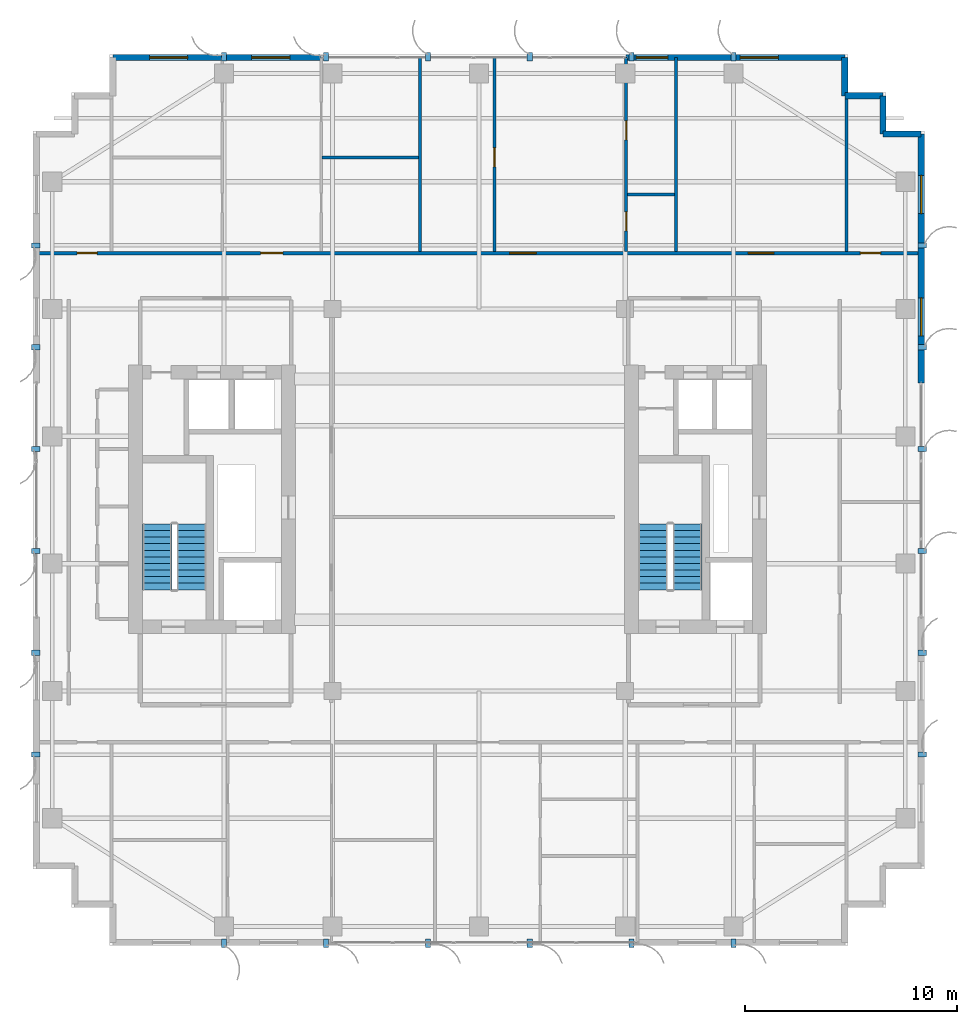
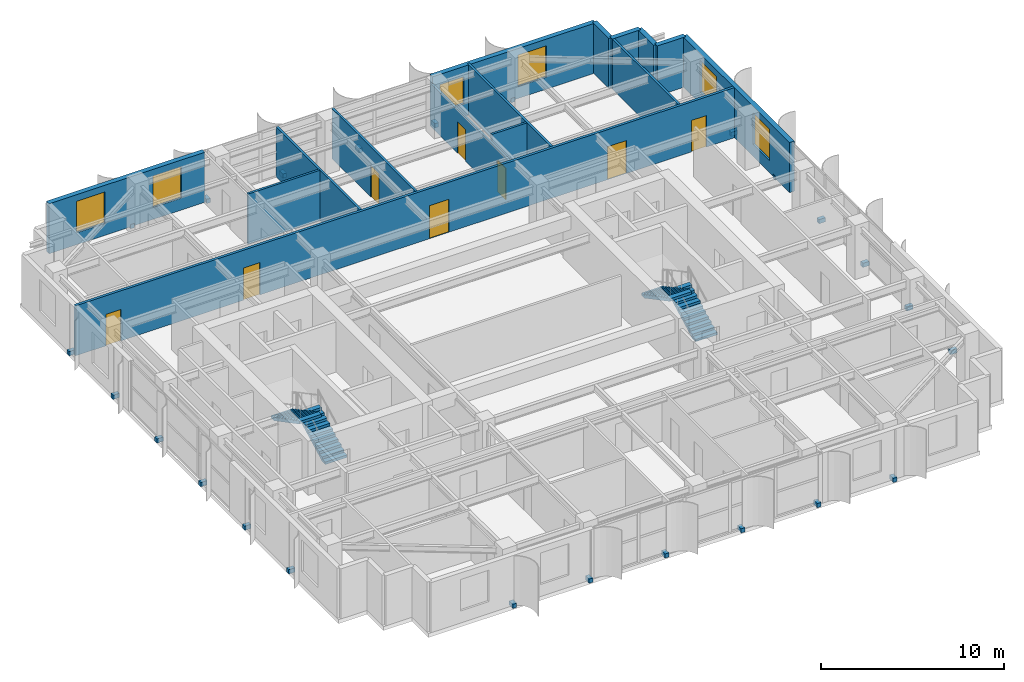
# One storey, part 22 of 25: 24 discrete accessories, 15 walls, 8 doors, 6 windows, 4 stair flights, 14 openings, 2 elements without a shape of their own.
"""IFC4 building model written with IfcOpenShell, lengths in metres."""

from ifc_helpers import new_model, si_unit, direction, frame, frame_2d, origin, origin_2d, place, context, subcontext, project, spatial, polyline, rectangle, outline, extrude, source, transform, mapped, material, layer, layer_set, type_object, element, fill, aggregate, save


model = new_model("IFC4")

# Units and contexts
model_context = context("Model", 3, precision=1e-05, world=origin(), true_north=direction((0.0, 1.0)))
body_context = subcontext(model_context, "Body", "Model", "MODEL_VIEW")
ifc_project = project(units=[si_unit("LENGTHUNIT", "METRE"), si_unit("AREAUNIT", "SQUARE_METRE"), si_unit("VOLUMEUNIT", "CUBIC_METRE"), si_unit("PLANEANGLEUNIT", "RADIAN"), si_unit("MASSUNIT", "GRAM", prefix="KILO")], contexts=[model_context])

# Site, building, storey
site_placement = place(None, origin())
site = spatial("IfcSite", under=ifc_project, at=site_placement, CompositionType="ELEMENT")
building_placement = place(site_placement, origin())
building = spatial("IfcBuilding", under=site, at=building_placement, Name="Khoralis Quay Care Tower", CompositionType="ELEMENT")
storey_placement = place(building_placement, frame((0.0, 0.0, 166.5)))
storey = spatial("IfcBuildingStorey", under=building, at=storey_placement, Name="L43", CompositionType="ELEMENT", Elevation=166.5)

# Wall, openings, doors
ifc_material_1 = material(Name="Gypsum plasterboard on acoustic metal stud")
ifc_layer_1 = layer(ifc_material_1, 0.1650390625)
ifc_layer_set_1 = layer_set([ifc_layer_1], Name="Gypsum plasterboard on acoustic metal stud")
wall_type_1 = type_object("IfcWallType", Name="WL-CORR-165", PredefinedType="PARTITIONING", material=ifc_layer_set_1)
wall_1_placement = place(storey_placement, frame((3.14501953125, 32.639892578125, 0.0), z_axis=(0.0, 0.0, 1.0), x_axis=(1.0, 0.0, 0.0)))
wall_1 = element("IfcWall", 1, at=wall_1_placement, inside=storey, type_object=wall_type_1, Name="L43 North Main Corridor Wall", PredefinedType="PARTITIONING", context=body_context, shape_type="SweptSolid", body=[
    extrude(rectangle(XDim=41.7099609375, YDim=0.1650390625, at=frame_2d((20.85498046875, 0.0))), origin(), (0.0, 0.0, 1.0), 3.340087890625),
])
opening_1_placement = place(wall_1_placement, frame((10.570556640625, 0.0, 0.0)))
opening_1 = element("IfcOpeningElement", 2, at=opening_1_placement, cuts=wall_1, Name="Opening UD1", PredefinedType="OPENING", context=body_context, shape_type="SweptSolid", body=[
    extrude(rectangle(XDim=1.050048828125, YDim=2.14990234375, at=frame_2d((0.52490234375, 1.074951171875))), frame((0.0, 0.092529296875, 0.0), z_axis=(0.0, -1.0, 0.0), x_axis=(1.0, 0.0, 0.0)), (0.0, 0.0, 1.0), 0.18505859375),
])
opening_2_placement = place(wall_1_placement, frame((22.31005859375, 0.0, 0.0)))
opening_2 = element("IfcOpeningElement", 3, at=opening_2_placement, cuts=wall_1, Name="Opening CD1", PredefinedType="OPENING", context=body_context, shape_type="SweptSolid", body=[
    extrude(rectangle(XDim=1.25, YDim=2.199951171875, at=frame_2d((0.625, 1.10009765625))), frame((0.0, 0.092529296875, 0.0), z_axis=(0.0, -1.0, 0.0), x_axis=(1.0, 0.0, 0.0)), (0.0, 0.0, 1.0), 0.18505859375),
])
opening_3_placement = place(wall_1_placement, frame((33.56005859375, 0.0, 0.0)))
opening_3 = element("IfcOpeningElement", 4, at=opening_3_placement, cuts=wall_1, Name="Opening FD1", PredefinedType="OPENING", context=body_context, shape_type="SweptSolid", body=[
    extrude(rectangle(XDim=1.199951171875, YDim=2.199951171875, at=frame_2d((0.60009765625, 1.10009765625))), frame((0.0, 0.092529296875, 0.0), z_axis=(0.0, -1.0, 0.0), x_axis=(1.0, 0.0, 0.0)), (0.0, 0.0, 1.0), 0.18505859375),
])
opening_4_placement = place(wall_1_placement, frame((1.919921875, 0.0, 0.0)))
opening_4 = element("IfcOpeningElement", 5, at=opening_4_placement, cuts=wall_1, Name="Opening ID1", PredefinedType="OPENING", context=body_context, shape_type="SweptSolid", body=[
    extrude(rectangle(XDim=0.949951171875, YDim=2.10009765625, at=frame_2d((0.47509765625, 1.050048828125))), frame((0.0, 0.092529296875, 0.0), z_axis=(0.0, -1.0, 0.0), x_axis=(1.0, 0.0, 0.0)), (0.0, 0.0, 1.0), 0.18505859375),
])
opening_5_placement = place(wall_1_placement, frame((38.840087890625, 0.0, 0.0)))
opening_5 = element("IfcOpeningElement", 6, at=opening_5_placement, cuts=wall_1, Name="Opening ID1", PredefinedType="OPENING", context=body_context, shape_type="SweptSolid", body=[
    extrude(rectangle(XDim=0.949951171875, YDim=2.10009765625, at=frame_2d((0.47509765625, 1.050048828125))), frame((0.0, 0.092529296875, 0.0), z_axis=(0.0, -1.0, 0.0), x_axis=(1.0, 0.0, 0.0)), (0.0, 0.0, 1.0), 0.18505859375),
])
ifc_material_2 = material(Name="Fire-rated painted steel", Category="steel")
door_type_1 = type_object("IfcDoorType", Name="DR-FFL-1200X2200", OperationType="NOTDEFINED", PredefinedType="DOOR", material=ifc_material_2)
shared_shape_1 = source(origin(), body_context, "Body", "SweptSolid", [
    extrude(rectangle(XDim=1.199951171875, YDim=2.199951171875, at=frame_2d((0.60009765625, 1.10009765625))), frame((0.0, 0.02490234375, 0.0), z_axis=(0.0, -1.0, 0.0), x_axis=(1.0, 0.0, 0.0)), (0.0, 0.0, 1.0), 0.050048828125),
])
door_1_placement = place(opening_3_placement, origin())
door_1 = element("IfcDoor", 7, at=door_1_placement, inside=storey, type_object=door_type_1, Name="L43 Resident Communal Day Lounge Door", OperationType="DOUBLE_DOOR_SINGLE_SWING", OverallHeight=2.199951171875, OverallWidth=1.199951171875, PredefinedType="DOOR", context=body_context, shape_type="MappedRepresentation", body=[
    mapped(shared_shape_1, transform((0.0, 0.0, 0.0), scale=1.0)),
])
fill(opening_3, door_1)
ifc_material_3 = material(Name="Acoustic hardwood timber", Category="wood")
door_type_2 = type_object("IfcDoorType", Name="DR-CARE-1250X2200", OperationType="NOTDEFINED", PredefinedType="DOOR", material=ifc_material_3)
shared_shape_2 = source(origin(), body_context, "Body", "SweptSolid", [
    extrude(rectangle(XDim=1.25, YDim=2.199951171875, at=frame_2d((0.625, 1.10009765625))), frame((0.0, 0.02490234375, 0.0), z_axis=(0.0, -1.0, 0.0), x_axis=(1.0, 0.0, 0.0)), (0.0, 0.0, 1.0), 0.050048828125),
])
door_2_placement = place(opening_2_placement, origin())
door_2 = element("IfcDoor", 8, at=door_2_placement, inside=storey, type_object=door_type_2, Name="L43 Care Suite NB1 Clinical Door", OperationType="SINGLE_SWING_RIGHT", OverallHeight=2.199951171875, OverallWidth=1.25, PredefinedType="DOOR", context=body_context, shape_type="MappedRepresentation", body=[
    mapped(shared_shape_2, transform((0.0, 0.0, 0.0), scale=1.0)),
])
fill(opening_2, door_2)
door_type_3 = type_object("IfcDoorType", Name="DR-ROOM-950X2100", OperationType="NOTDEFINED", PredefinedType="DOOR", material=ifc_material_3)
shared_shape_3 = source(origin(), body_context, "Body", "SweptSolid", [
    extrude(rectangle(XDim=0.949951171875, YDim=2.10009765625, at=frame_2d((0.47509765625, 1.050048828125))), frame((0.0, 0.02490234375, 0.0), z_axis=(0.0, -1.0, 0.0), x_axis=(1.0, 0.0, 0.0)), (0.0, 0.0, 1.0), 0.050048828125),
])
door_3_placement = place(opening_4_placement, origin())
door_3 = element("IfcDoor", 9, at=door_3_placement, inside=storey, type_object=door_type_3, Name="L43 NW Corner Door", OperationType="SINGLE_SWING_RIGHT", OverallHeight=2.10009765625, OverallWidth=0.949951171875, PredefinedType="DOOR", context=body_context, shape_type="MappedRepresentation", body=[
    mapped(shared_shape_3, transform((0.0, 0.0, 0.0), scale=1.0)),
])
fill(opening_4, door_3)
door_4_placement = place(opening_5_placement, origin())
door_4 = element("IfcDoor", 10, at=door_4_placement, inside=storey, type_object=door_type_3, Name="L43 NE Corner Door", OperationType="SINGLE_SWING_LEFT", OverallHeight=2.10009765625, OverallWidth=0.949951171875, PredefinedType="DOOR", context=body_context, shape_type="MappedRepresentation", body=[
    mapped(shared_shape_3, transform((0.0, 0.0, 0.0), scale=1.0)),
])
fill(opening_5, door_4)
door_type_4 = type_object("IfcDoorType", Name="DR-SUITE-1050X2150", OperationType="NOTDEFINED", PredefinedType="DOOR", material=ifc_material_3)
shared_shape_4 = source(origin(), body_context, "Body", "SweptSolid", [
    extrude(rectangle(XDim=1.050048828125, YDim=2.14990234375, at=frame_2d((0.52490234375, 1.074951171875))), frame((0.0, 0.02490234375, 0.0), z_axis=(0.0, -1.0, 0.0), x_axis=(1.0, 0.0, 0.0)), (0.0, 0.0, 1.0), 0.050048828125),
])
door_5_placement = place(opening_1_placement, origin())
door_5 = element("IfcDoor", 11, at=door_5_placement, inside=storey, type_object=door_type_4, Name="L43 2BR NB0 Entrance", OperationType="SINGLE_SWING_LEFT", OverallHeight=2.14990234375, OverallWidth=1.050048828125, PredefinedType="DOOR", context=body_context, shape_type="MappedRepresentation", body=[
    mapped(shared_shape_4, transform((0.0, 0.0, 0.0), scale=1.0)),
])
fill(opening_1, door_5)

# Wall, openings, windows
ifc_material_4 = material(Name="Precast concrete C45/55", Category="concrete")
ifc_layer_2 = layer(ifc_material_4, 0.300048828125)
ifc_layer_set_2 = layer_set([ifc_layer_2], Name="Precast concrete C45/55")
wall_type_2 = type_object("IfcWallType", Name="WL-EXT-REF-300", PredefinedType="SOLIDWALL", material=ifc_layer_set_2)
wall_2_placement = place(storey_placement, frame((44.85009765625, 26.52001953125, 0.0), z_axis=(0.0, 0.0, 1.0), x_axis=(0.0, 1.0, 0.0)))
wall_2 = element("IfcWall", 12, at=wall_2_placement, inside=storey, type_object=wall_type_2, Name="L43 External Facade Wall WL-EXT-L43-P1-E5B", PredefinedType="SOLIDWALL", context=body_context, shape_type="SweptSolid", body=[
    extrude(rectangle(XDim=11.72998046875, YDim=0.300048828125, at=frame_2d((5.864990234375, 0.0))), origin(), (0.0, 0.0, 1.0), 3.340087890625),
])
opening_6_placement = place(wall_2_placement, frame((2.2099609375, 0.0, 0.800048828125)))
opening_6 = element("IfcOpeningElement", 13, at=opening_6_placement, cuts=wall_2, Name="Opening W2", PredefinedType="OPENING", context=body_context, shape_type="SweptSolid", body=[
    extrude(rectangle(XDim=1.800048828125, YDim=2.10009765625, at=frame_2d((0.89990234375, 1.050048828125))), frame((0.0, 0.16015625, 0.0), z_axis=(0.0, -1.0, 0.0), x_axis=(1.0, 0.0, 0.0)), (0.0, 0.0, 1.0), 0.320068359375),
])
opening_7_placement = place(wall_2_placement, frame((7.97509765625, 0.0, 0.800048828125)))
opening_7 = element("IfcOpeningElement", 14, at=opening_7_placement, cuts=wall_2, Name="Opening W2", PredefinedType="OPENING", context=body_context, shape_type="SweptSolid", body=[
    extrude(rectangle(XDim=1.800048828125, YDim=2.10009765625, at=frame_2d((0.89990234375, 1.050048828125))), frame((0.0, 0.16015625, 0.0), z_axis=(0.0, -1.0, 0.0), x_axis=(1.0, 0.0, 0.0)), (0.0, 0.0, 1.0), 0.320068359375),
])
ifc_material_5 = material(Name="Low-E solar-control double glazing", Category="glass")
window_type_1 = type_object("IfcWindowType", Name="WN-POD-1800X2100", PartitioningType="SINGLE_PANEL", PredefinedType="WINDOW", material=ifc_material_5)
shared_shape_5 = source(origin(), body_context, "Body", "SweptSolid", [
    extrude(rectangle(XDim=1.800048828125, YDim=2.10009765625, at=frame_2d((0.89990234375, 1.050048828125))), frame((0.0, 0.030029296875, 0.0), z_axis=(0.0, -1.0, 0.0), x_axis=(1.0, 0.0, 0.0)), (0.0, 0.0, 1.0), 0.06005859375),
])
window_1_placement = place(opening_6_placement, origin())
window_1 = element("IfcWindow", 15, at=window_1_placement, inside=storey, type_object=window_type_1, Name="WN-L43-P1-E5B Facade Window 01", OverallHeight=2.10009765625, OverallWidth=1.800048828125, PartitioningType="SINGLE_PANEL", PredefinedType="WINDOW", context=body_context, shape_type="MappedRepresentation", body=[
    mapped(shared_shape_5, transform((0.0, 0.0, 0.0), scale=1.0)),
])
fill(opening_6, window_1)
window_2_placement = place(opening_7_placement, origin())
window_2 = element("IfcWindow", 16, at=window_2_placement, inside=storey, type_object=window_type_1, Name="WN-L43-P1-E5B Facade Window 02", OverallHeight=2.10009765625, OverallWidth=1.800048828125, PartitioningType="SINGLE_PANEL", PredefinedType="WINDOW", context=body_context, shape_type="MappedRepresentation", body=[
    mapped(shared_shape_5, transform((0.0, 0.0, 0.0), scale=1.0)),
])
fill(opening_7, window_2)

# Walls
for number, where, z_axis, x_axis, name in (
    (17, (44.85009765625, 38.25, 0.0), (0.0, 0.0, 1.0), (-1.0, 0.0, 0.0), "L43 External Facade Wall WL-EXT-L43-P1-C6"),
    (18, (43.050048828125, 38.25, 0.0), (0.0, 0.0, 1.0), (0.0, 1.0, 0.0), "L43 External Facade Wall WL-EXT-L43-P1-C7"),
    (19, (43.050048828125, 40.050048828125, 0.0), (0.0, 0.0, 1.0), (-1.0, 0.0, 0.0), "L43 External Facade Wall WL-EXT-L43-P1-C8"),
    (20, (41.25, 40.050048828125, 0.0), (0.0, 0.0, 1.0), (0.0, 1.0, 0.0), "L43 External Facade Wall WL-EXT-L43-P1-C9"),
):
    element("IfcWall", number, at=place(storey_placement, frame(where, z_axis=z_axis, x_axis=x_axis)), inside=storey, type_object=wall_type_2, Name=name, PredefinedType="SOLIDWALL", context=body_context, shape_type="SweptSolid", body=[
        extrude(rectangle(XDim=1.800048828125, YDim=0.300048828125, at=frame_2d((0.89990234375, 0.0))), origin(), (0.0, 0.0, 1.0), 3.340087890625),
    ])

# Wall, openings, windows
wall_3_placement = place(storey_placement, frame((41.25, 41.85009765625, 0.0), z_axis=(0.0, 0.0, 1.0), x_axis=(-1.0, 0.0, 0.0)))
wall_3 = element("IfcWall", 21, at=wall_3_placement, inside=storey, type_object=wall_type_2, Name="L43 External Facade Wall WL-EXT-L43-P1-E10A", PredefinedType="SOLIDWALL", context=body_context, shape_type="SweptSolid", body=[
    extrude(rectangle(XDim=10.31005859375, YDim=0.300048828125, at=frame_2d((5.155029296875, 0.0))), origin(), (0.0, 0.0, 1.0), 3.340087890625),
])
opening_8_placement = place(wall_3_placement, frame((3.1298828125, 0.0, 0.800048828125)))
opening_8 = element("IfcOpeningElement", 22, at=opening_8_placement, cuts=wall_3, Name="Opening W2", PredefinedType="OPENING", context=body_context, shape_type="SweptSolid", body=[
    extrude(rectangle(XDim=1.800048828125, YDim=2.10009765625, at=frame_2d((0.89990234375, 1.050048828125))), frame((0.0, 0.16015625, 0.0), z_axis=(0.0, -1.0, 0.0), x_axis=(1.0, 0.0, 0.0)), (0.0, 0.0, 1.0), 0.320068359375),
])
opening_9_placement = place(wall_3_placement, frame((8.3349609375, 0.0, 0.85009765625)))
opening_9 = element("IfcOpeningElement", 23, at=opening_9_placement, cuts=wall_3, Name="Opening W3", PredefinedType="OPENING", context=body_context, shape_type="SweptSolid", body=[
    extrude(rectangle(XDim=1.5, YDim=1.800048828125, at=frame_2d((0.75, 0.89990234375))), frame((0.0, 0.16015625, 0.0), z_axis=(0.0, -1.0, 0.0), x_axis=(1.0, 0.0, 0.0)), (0.0, 0.0, 1.0), 0.320068359375),
])
window_type_2 = type_object("IfcWindowType", Name="WN-CLIN-1500X1800", PartitioningType="SINGLE_PANEL", PredefinedType="WINDOW", material=ifc_material_5)
shared_shape_6 = source(origin(), body_context, "Body", "SweptSolid", [
    extrude(rectangle(XDim=1.5, YDim=1.800048828125, at=frame_2d((0.75, 0.89990234375))), frame((0.0, 0.030029296875, 0.0), z_axis=(0.0, -1.0, 0.0), x_axis=(1.0, 0.0, 0.0)), (0.0, 0.0, 1.0), 0.06005859375),
])
window_3_placement = place(opening_9_placement, origin())
window_3 = element("IfcWindow", 24, at=window_3_placement, inside=storey, type_object=window_type_2, Name="WN-L43-P1-E10A Facade Window 02", OverallHeight=1.800048828125, OverallWidth=1.5, PartitioningType="SINGLE_PANEL", PredefinedType="WINDOW", context=body_context, shape_type="MappedRepresentation", body=[
    mapped(shared_shape_6, transform((0.0, 0.0, 0.0), scale=1.0)),
])
fill(opening_9, window_3)
window_4_placement = place(opening_8_placement, origin())
window_4 = element("IfcWindow", 25, at=window_4_placement, inside=storey, type_object=window_type_1, Name="WN-L43-P1-E10A Facade Window 01", OverallHeight=2.10009765625, OverallWidth=1.800048828125, PartitioningType="SINGLE_PANEL", PredefinedType="WINDOW", context=body_context, shape_type="MappedRepresentation", body=[
    mapped(shared_shape_5, transform((0.0, 0.0, 0.0), scale=1.0)),
])
fill(opening_8, window_4)

wall_4_placement = place(storey_placement, frame((16.56689453125, 41.85009765625, 0.0), z_axis=(0.0, 0.0, 1.0), x_axis=(-1.0, 0.0, 0.0)))
wall_4 = element("IfcWall", 26, at=wall_4_placement, inside=storey, type_object=wall_type_2, Name="L43 External Facade Wall WL-EXT-L43-P1-E10B", PredefinedType="SOLIDWALL", context=body_context, shape_type="SweptSolid", body=[
    extrude(rectangle(XDim=9.81689453125, YDim=0.300048828125, at=frame_2d((4.908447265625, 0.0))), origin(), (0.0, 0.0, 1.0), 3.340087890625),
])
opening_10_placement = place(wall_4_placement, frame((1.4765625, 0.0, 0.800048828125)))
opening_10 = element("IfcOpeningElement", 27, at=opening_10_placement, cuts=wall_4, Name="Opening W2", PredefinedType="OPENING", context=body_context, shape_type="SweptSolid", body=[
    extrude(rectangle(XDim=1.800048828125, YDim=2.10009765625, at=frame_2d((0.89990234375, 1.050048828125))), frame((0.0, 0.16015625, 0.0), z_axis=(0.0, -1.0, 0.0), x_axis=(1.0, 0.0, 0.0)), (0.0, 0.0, 1.0), 0.320068359375),
])
opening_11_placement = place(wall_4_placement, frame((6.284912109375, 0.0, 0.800048828125)))
opening_11 = element("IfcOpeningElement", 28, at=opening_11_placement, cuts=wall_4, Name="Opening W2", PredefinedType="OPENING", context=body_context, shape_type="SweptSolid", body=[
    extrude(rectangle(XDim=1.800048828125, YDim=2.10009765625, at=frame_2d((0.89990234375, 1.050048828125))), frame((0.0, 0.16015625, 0.0), z_axis=(0.0, -1.0, 0.0), x_axis=(1.0, 0.0, 0.0)), (0.0, 0.0, 1.0), 0.320068359375),
])
window_5_placement = place(opening_10_placement, origin())
window_5 = element("IfcWindow", 29, at=window_5_placement, inside=storey, type_object=window_type_1, Name="WN-L43-P1-E10B Facade Window 01", OverallHeight=2.10009765625, OverallWidth=1.800048828125, PartitioningType="SINGLE_PANEL", PredefinedType="WINDOW", context=body_context, shape_type="MappedRepresentation", body=[
    mapped(shared_shape_5, transform((0.0, 0.0, 0.0), scale=1.0)),
])
fill(opening_10, window_5)
window_6_placement = place(opening_11_placement, origin())
window_6 = element("IfcWindow", 30, at=window_6_placement, inside=storey, type_object=window_type_1, Name="WN-L43-P1-E10B Facade Window 02", OverallHeight=2.10009765625, OverallWidth=1.800048828125, PartitioningType="SINGLE_PANEL", PredefinedType="WINDOW", context=body_context, shape_type="MappedRepresentation", body=[
    mapped(shared_shape_5, transform((0.0, 0.0, 0.0), scale=1.0)),
])
fill(opening_11, window_6)

# Wall
ifc_material_6 = material(Name="Moisture-resistant gypsum and ceramic tile")
ifc_layer_3 = layer(ifc_material_6, 0.280029296875)
ifc_layer_set_3 = layer_set([ifc_layer_3], Name="Moisture-resistant gypsum and ceramic tile")
wall_type_3 = type_object("IfcWallType", Name="WL-PLUMB-280", PredefinedType="PLUMBINGWALL", material=ifc_layer_set_3)
wall_5_placement = place(storey_placement, frame((16.619384765625, 37.133056640625, 0.0), z_axis=(0.0, 0.0, 1.0), x_axis=(1.0, 0.0, 0.0)))
element("IfcWall", 31, at=wall_5_placement, inside=storey, type_object=wall_type_3, Name="L43 2BR 0 Right Split", PredefinedType="PLUMBINGWALL", context=body_context, shape_type="SweptSolid", body=[
    extrude(rectangle(XDim=4.53564453125, YDim=0.139892578125, at=frame_2d((2.267822265625, 0.0))), origin(), (0.0, 0.0, 1.0), 3.340087890625),
])

# Wall, openings, doors
wall_6_placement = place(storey_placement, frame((30.93994140625, 32.717529296875, 0.0), z_axis=(0.0, 0.0, 1.0), x_axis=(0.0, 1.0, 0.0)))
wall_6 = element("IfcWall", 32, at=wall_6_placement, inside=storey, type_object=wall_type_3, Name="L43 Care Suite 1 En-Suite Wall V", PredefinedType="PLUMBINGWALL", context=body_context, shape_type="SweptSolid", body=[
    extrude(rectangle(XDim=9.137451171875, YDim=0.139892578125, at=frame_2d((4.56884765625, 0.0))), origin(), (0.0, 0.0, 1.0), 2.876953125),
])
opening_12_placement = place(wall_6_placement, frame((0.96240234375, 0.0, 0.0)))
opening_12 = element("IfcOpeningElement", 33, at=opening_12_placement, cuts=wall_6, Name="Opening WD1", PredefinedType="OPENING", context=body_context, shape_type="SweptSolid", body=[
    extrude(rectangle(XDim=0.89990234375, YDim=2.10009765625, at=frame_2d((0.449951171875, 1.050048828125))), frame((0.0, 0.080078125, 0.0), z_axis=(0.0, -1.0, 0.0), x_axis=(1.0, 0.0, 0.0)), (0.0, 0.0, 1.0), 0.159912109375),
])
opening_13_placement = place(wall_6_placement, frame((5.25244140625, 0.0, 0.0)))
opening_13 = element("IfcOpeningElement", 34, at=opening_13_placement, cuts=wall_6, Name="Opening WD1", PredefinedType="OPENING", context=body_context, shape_type="SweptSolid", body=[
    extrude(rectangle(XDim=0.89990234375, YDim=2.10009765625, at=frame_2d((0.449951171875, 1.050048828125))), frame((0.0, 0.080078125, 0.0), z_axis=(0.0, -1.0, 0.0), x_axis=(1.0, 0.0, 0.0)), (0.0, 0.0, 1.0), 0.159912109375),
])
door_type_5 = type_object("IfcDoorType", Name="DR-BATH-900X2100", OperationType="NOTDEFINED", PredefinedType="DOOR", material=ifc_material_3)
shared_shape_7 = source(origin(), body_context, "Body", "SweptSolid", [
    extrude(rectangle(XDim=0.89990234375, YDim=2.10009765625, at=frame_2d((0.449951171875, 1.050048828125))), frame((0.0, 0.02490234375, 0.0), z_axis=(0.0, -1.0, 0.0), x_axis=(1.0, 0.0, 0.0)), (0.0, 0.0, 1.0), 0.050048828125),
])
door_6_placement = place(opening_12_placement, frame((0.89990234375, 0.0, 0.0), z_axis=(0.0, 0.0, 1.0), x_axis=(-1.0, 0.0, 0.0)))
door_6 = element("IfcDoor", 35, at=door_6_placement, inside=storey, type_object=door_type_5, Name="L43 Care CENS Door", OperationType="SINGLE_SWING_LEFT", OverallHeight=2.10009765625, OverallWidth=0.89990234375, PredefinedType="DOOR", context=body_context, shape_type="MappedRepresentation", body=[
    mapped(shared_shape_7, transform((0.0, 0.0, 0.0), scale=1.0)),
])
fill(opening_12, door_6)
door_7_placement = place(opening_13_placement, frame((0.89990234375, 0.0, 0.0), z_axis=(0.0, 0.0, 1.0), x_axis=(-1.0, 0.0, 0.0)))
door_7 = element("IfcDoor", 36, at=door_7_placement, inside=storey, type_object=door_type_5, Name="L43 Care CSIT Door", OperationType="SINGLE_SWING_RIGHT", OverallHeight=2.10009765625, OverallWidth=0.89990234375, PredefinedType="DOOR", context=body_context, shape_type="MappedRepresentation", body=[
    mapped(shared_shape_7, transform((0.0, 0.0, 0.0), scale=1.0)),
])
fill(opening_13, door_7)

# Walls
wall_7_placement = place(storey_placement, frame((31.0048828125, 35.389892578125, 0.0), z_axis=(0.0, 0.0, 1.0), x_axis=(1.0, 0.0, 0.0)))
element("IfcWall", 37, at=wall_7_placement, inside=storey, type_object=wall_type_3, Name="L43 Care Suite 1 En-Suite Wall H", PredefinedType="PLUMBINGWALL", context=body_context, shape_type="SweptSolid", body=[
    extrude(rectangle(XDim=2.22021484375, YDim=0.139892578125, at=frame_2d((1.110107421875, 0.0))), origin(), (0.0, 0.0, 1.0), 3.340087890625),
])
ifc_layer_4 = layer(ifc_material_1, 0.139892578125)
ifc_layer_set_4 = layer_set([ifc_layer_4], Name="Gypsum plasterboard on acoustic metal stud")
wall_type_4 = type_object("IfcWallType", Name="WL-UNIT-140", PredefinedType="PARTITIONING", material=ifc_layer_set_4)
for number, where, z_axis, x_axis, name in (
    (38, (21.219970703125, 32.717529296875, 0.0), (0.0, 0.0, 1.0), (0.0, 1.0, 0.0), "L43 NB Demising Wall 1"),
    (39, (33.2900390625, 32.717529296875, 0.0), (0.0, 0.0, 1.0), (0.0, 1.0, 0.0), "L43 NB Demising Wall 2"),
):
    element("IfcWall", number, at=place(storey_placement, frame(where, z_axis=z_axis, x_axis=x_axis)), inside=storey, type_object=wall_type_4, Name=name, PredefinedType="PARTITIONING", context=body_context, shape_type="SweptSolid", body=[
        extrude(rectangle(XDim=9.137451171875, YDim=0.139892578125, at=frame_2d((4.56884765625, 0.0))), origin(), (0.0, 0.0, 1.0), 3.340087890625),
    ])
wall_8_placement = place(storey_placement, frame((41.320068359375, 32.717529296875, 0.0), z_axis=(0.0, 0.0, 1.0), x_axis=(0.0, 1.0, 0.0)))
element("IfcWall", 40, at=wall_8_placement, inside=storey, type_object=wall_type_4, Name="L43 NB Demising Wall 3", PredefinedType="PARTITIONING", context=body_context, shape_type="SweptSolid", body=[
    extrude(rectangle(XDim=7.33740234375, YDim=0.139892578125, at=frame_2d((3.668701171875, 0.0))), origin(), (0.0, 0.0, 1.0), 3.340087890625),
])

# Wall, opening, door
wall_9_placement = place(storey_placement, frame((24.739990234375, 32.717529296875, 0.0), z_axis=(0.0, 0.0, 1.0), x_axis=(0.0, 1.0, 0.0)))
wall_9 = element("IfcWall", 41, at=wall_9_placement, inside=storey, type_object=wall_type_4, Name="Skilled Care Bedroom L43-NB1 Sub-Partition", PredefinedType="PARTITIONING", context=body_context, shape_type="SweptSolid", body=[
    extrude(rectangle(XDim=9.137451171875, YDim=0.139892578125, at=frame_2d((4.56884765625, 0.0))), origin(), (0.0, 0.0, 1.0), 3.340087890625),
])
opening_14_placement = place(wall_9_placement, frame((3.982421875, 0.0, 0.0)))
opening_14 = element("IfcOpeningElement", 42, at=opening_14_placement, cuts=wall_9, Name="Opening WD1", PredefinedType="OPENING", context=body_context, shape_type="SweptSolid", body=[
    extrude(rectangle(XDim=0.89990234375, YDim=2.10009765625, at=frame_2d((0.449951171875, 1.050048828125))), frame((0.0, 0.080078125, 0.0), z_axis=(0.0, -1.0, 0.0), x_axis=(1.0, 0.0, 0.0)), (0.0, 0.0, 1.0), 0.159912109375),
])
door_8_placement = place(opening_14_placement, origin())
door_8 = element("IfcDoor", 43, at=door_8_placement, inside=storey, type_object=door_type_5, Name="Private Study & Reading Alcove ARE1 Door", OperationType="SINGLE_SWING_LEFT", OverallHeight=2.10009765625, OverallWidth=0.89990234375, PredefinedType="DOOR", context=body_context, shape_type="MappedRepresentation", body=[
    mapped(shared_shape_7, transform((0.0, 0.0, 0.0), scale=1.0)),
])
fill(opening_14, door_8)

# Stair, stair flights
stair_type = type_object("IfcStairType", Name="ST-TWR-DOGLEG-1400", PredefinedType="HALF_TURN_STAIR", material=ifc_material_4)
stair_1_placement = place(storey_placement, origin())
stair_1 = element("IfcStair", 44, at=stair_1_placement, inside=storey, type_object=stair_type, Name="L43 West Core Exit Stair ST-T1", PredefinedType="HALF_TURN_STAIR")
stair_flight_type = type_object("IfcStairFlightType", Name="SF-TWR-1400", PredefinedType="STRAIGHT", material=ifc_material_4)
shared_shape_8 = source(origin(), body_context, "Body", "SweptSolid", [
    extrude(outline(polyline([(0.0, 0.0), (0.0, 0.16357421875), (0.31005859375, 0.16357421875), (0.31005859375, 0.327392578125), (0.6201171875, 0.327392578125), (0.6201171875, 0.490966796875), (0.929931640625, 0.490966796875), (0.929931640625, 0.654541015625), (1.239990234375, 0.654541015625), (1.239990234375, 0.818115234375), (1.550048828125, 0.818115234375), (1.550048828125, 0.98193359375), (1.860107421875, 0.98193359375), (1.860107421875, 1.1455078125), (2.169921875, 1.1455078125), (2.169921875, 1.30908203125), (2.47998046875, 1.30908203125), (2.47998046875, 1.47265625), (2.7900390625, 1.47265625), (2.7900390625, 1.636474609375), (3.10009765625, 1.636474609375), (3.10009765625, 1.800048828125), (3.10009765625, 1.466796875), (0.321044921875, 0.0), (0.0, 0.0)])), frame((0.0, 0.68994140625, 0.0), z_axis=(0.0, -1.0, 0.0), x_axis=(1.0, 0.0, 0.0)), (0.0, 0.0, 1.0), 1.3798828125),
])
stair_flight_1_placement = place(storey_placement, frame((10.4599609375, 16.77001953125, 0.0), z_axis=(0.0, 0.0, 1.0), x_axis=(0.0, 1.0, 0.0)))
stair_flight_1 = element("IfcStairFlight", 45, at=stair_flight_1_placement, type_object=stair_flight_type, Name="ST-T1 flight 1", NumberOfRisers=11, NumberOfTreads=10, PredefinedType="STRAIGHT", RiserHeight=0.163636364, TreadLength=0.31, context=body_context, shape_type="MappedRepresentation", body=[
    mapped(shared_shape_8, transform((0.0, 0.0, 0.0), scale=1.0)),
])
stair_flight_2_placement = place(storey_placement, frame((8.840087890625, 19.8701171875, 1.800048828125), z_axis=(0.0, 0.0, 1.0), x_axis=(0.0, -1.0, 0.0)))
stair_flight_2 = element("IfcStairFlight", 46, at=stair_flight_2_placement, type_object=stair_flight_type, Name="ST-T1 flight 2", NumberOfRisers=11, NumberOfTreads=10, PredefinedType="STRAIGHT", RiserHeight=0.163636364, TreadLength=0.31, context=body_context, shape_type="MappedRepresentation", body=[
    mapped(shared_shape_8, transform((0.0, 0.0, 0.0), scale=1.0)),
])
aggregate(stair_1, [stair_flight_1, stair_flight_2])

stair_2_placement = place(storey_placement, origin())
stair_2 = element("IfcStair", 47, at=stair_2_placement, inside=storey, type_object=stair_type, Name="L43 East Core Exit Stair ST-T2", PredefinedType="HALF_TURN_STAIR")
stair_flight_3_placement = place(storey_placement, frame((33.830078125, 16.77001953125, 0.0), z_axis=(0.0, 0.0, 1.0), x_axis=(0.0, 1.0, 0.0)))
stair_flight_3 = element("IfcStairFlight", 48, at=stair_flight_3_placement, type_object=stair_flight_type, Name="ST-T2 flight 1", NumberOfRisers=11, NumberOfTreads=10, PredefinedType="STRAIGHT", RiserHeight=0.163636364, TreadLength=0.31, context=body_context, shape_type="MappedRepresentation", body=[
    mapped(shared_shape_8, transform((0.0, 0.0, 0.0), scale=1.0)),
])
stair_flight_4_placement = place(storey_placement, frame((32.2099609375, 19.8701171875, 1.800048828125), z_axis=(0.0, 0.0, 1.0), x_axis=(0.0, -1.0, 0.0)))
stair_flight_4 = element("IfcStairFlight", 49, at=stair_flight_4_placement, type_object=stair_flight_type, Name="ST-T2 flight 2", NumberOfRisers=11, NumberOfTreads=10, PredefinedType="STRAIGHT", RiserHeight=0.163636364, TreadLength=0.31, context=body_context, shape_type="MappedRepresentation", body=[
    mapped(shared_shape_8, transform((0.0, 0.0, 0.0), scale=1.0)),
])
aggregate(stair_2, [stair_flight_3, stair_flight_4])

# Discrete accessories
ifc_material_7 = material(Name="Brushed stainless steel", Category="steel")
discrete_accessory_type = type_object("IfcDiscreteAccessoryType", Name="ACC-FIN-BRACKET", PredefinedType="BRACKET", material=ifc_material_7)
shared_shape_9 = source(origin(), body_context, "Body", "SweptSolid", [
    extrude(rectangle(XDim=0.39990234375, YDim=0.239990234375, at=origin_2d()), origin(), (0.0, 0.0, 1.0), 0.280029296875),
])
for number, where, z_axis, x_axis, name in (
    (50, (12.0, 0.110107421875, -0.1201171875), (0.0, 0.0, 1.0), (0.0, -1.0, 0.0), "L43 Solar Fin Bracket P1E0-01"),
    (51, (16.800048828125, 0.110107421875, -0.1201171875), (0.0, 0.0, 1.0), (0.0, -1.0, 0.0), "L43 Solar Fin Bracket P1E0-02"),
    (52, (21.60009765625, 0.110107421875, -0.1201171875), (0.0, 0.0, 1.0), (0.0, -1.0, 0.0), "L43 Solar Fin Bracket P1E0-03"),
    (53, (26.39990234375, 0.110107421875, -0.1201171875), (0.0, 0.0, 1.0), (0.0, -1.0, 0.0), "L43 Solar Fin Bracket P1E0-04"),
    (54, (31.199951171875, 0.110107421875, -0.1201171875), (0.0, 0.0, 1.0), (0.0, -1.0, 0.0), "L43 Solar Fin Bracket P1E0-05"),
    (55, (36.0, 0.110107421875, -0.1201171875), (0.0, 0.0, 1.0), (0.0, -1.0, 0.0), "L43 Solar Fin Bracket P1E0-06"),
    (56, (44.889892578125, 9.0, -0.1201171875), (0.0, 0.0, 1.0), (1.0, 0.0, 0.0), "L43 Solar Fin Bracket P1E5-01"),
    (57, (44.889892578125, 13.800048828125, -0.1201171875), (0.0, 0.0, 1.0), (1.0, 0.0, 0.0), "L43 Solar Fin Bracket P1E5-02"),
    (58, (44.889892578125, 18.60009765625, -0.1201171875), (0.0, 0.0, 1.0), (1.0, 0.0, 0.0), "L43 Solar Fin Bracket P1E5-03"),
    (59, (44.889892578125, 23.39990234375, -0.1201171875), (0.0, 0.0, 1.0), (1.0, 0.0, 0.0), "L43 Solar Fin Bracket P1E5-04"),
    (60, (44.889892578125, 28.199951171875, -0.1201171875), (0.0, 0.0, 1.0), (1.0, 0.0, 0.0), "L43 Solar Fin Bracket P1E5-05"),
    (61, (44.889892578125, 33.0, -0.1201171875), (0.0, 0.0, 1.0), (1.0, 0.0, 0.0), "L43 Solar Fin Bracket P1E5-06"),
    (62, (36.0, 41.889892578125, -0.1201171875), (0.0, 0.0, 1.0), (0.0, 1.0, 0.0), "L43 Solar Fin Bracket P1E10-01"),
    (63, (31.199951171875, 41.889892578125, -0.1201171875), (0.0, 0.0, 1.0), (0.0, 1.0, 0.0), "L43 Solar Fin Bracket P1E10-02"),
    (64, (26.39990234375, 41.889892578125, -0.1201171875), (0.0, 0.0, 1.0), (0.0, 1.0, 0.0), "L43 Solar Fin Bracket P1E10-03"),
    (65, (21.60009765625, 41.889892578125, -0.1201171875), (0.0, 0.0, 1.0), (0.0, 1.0, 0.0), "L43 Solar Fin Bracket P1E10-04"),
    (66, (16.800048828125, 41.889892578125, -0.1201171875), (0.0, 0.0, 1.0), (0.0, 1.0, 0.0), "L43 Solar Fin Bracket P1E10-05"),
    (67, (12.0, 41.889892578125, -0.1201171875), (0.0, 0.0, 1.0), (0.0, 1.0, 0.0), "L43 Solar Fin Bracket P1E10-06"),
    (68, (3.110107421875, 33.0, -0.1201171875), (0.0, 0.0, 1.0), (-1.0, 0.0, 0.0), "L43 Solar Fin Bracket P1E15-01"),
    (69, (3.110107421875, 28.199951171875, -0.1201171875), (0.0, 0.0, 1.0), (-1.0, 0.0, 0.0), "L43 Solar Fin Bracket P1E15-02"),
    (70, (3.110107421875, 23.39990234375, -0.1201171875), (0.0, 0.0, 1.0), (-1.0, 0.0, 0.0), "L43 Solar Fin Bracket P1E15-03"),
    (71, (3.110107421875, 18.60009765625, -0.1201171875), (0.0, 0.0, 1.0), (-1.0, 0.0, 0.0), "L43 Solar Fin Bracket P1E15-04"),
    (72, (3.110107421875, 13.800048828125, -0.1201171875), (0.0, 0.0, 1.0), (-1.0, 0.0, 0.0), "L43 Solar Fin Bracket P1E15-05"),
    (73, (3.110107421875, 9.0, -0.1201171875), (0.0, 0.0, 1.0), (-1.0, 0.0, 0.0), "L43 Solar Fin Bracket P1E15-06"),
):
    element("IfcDiscreteAccessory", number, at=place(storey_placement, frame(where, z_axis=z_axis, x_axis=x_axis)), inside=storey, type_object=discrete_accessory_type, Name=name, PredefinedType="BRACKET", context=body_context, shape_type="MappedRepresentation", body=[
        mapped(shared_shape_9, transform((0.0, 0.0, 0.0), scale=1.0)),
    ])

save(model, "model.ifc")
